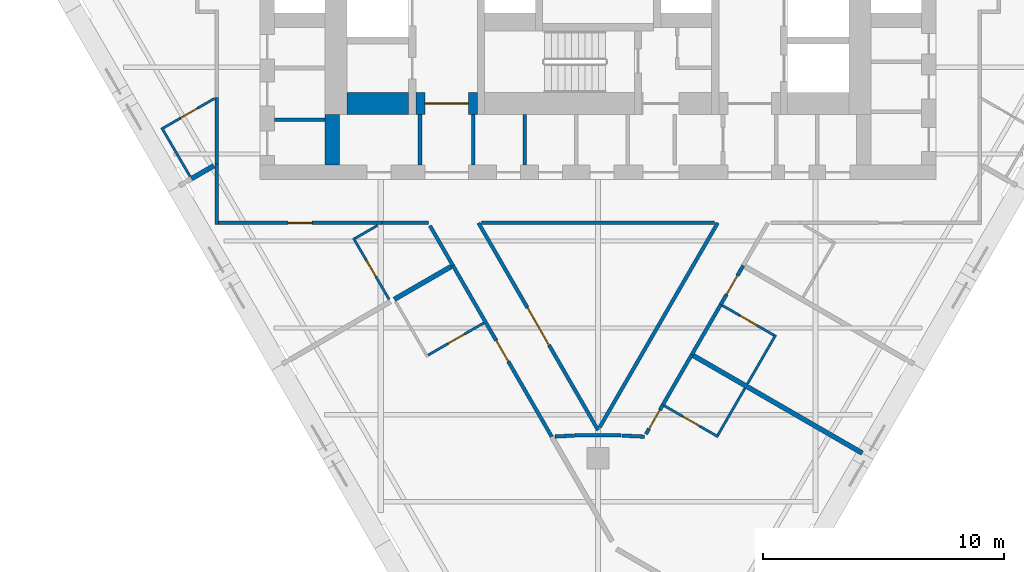
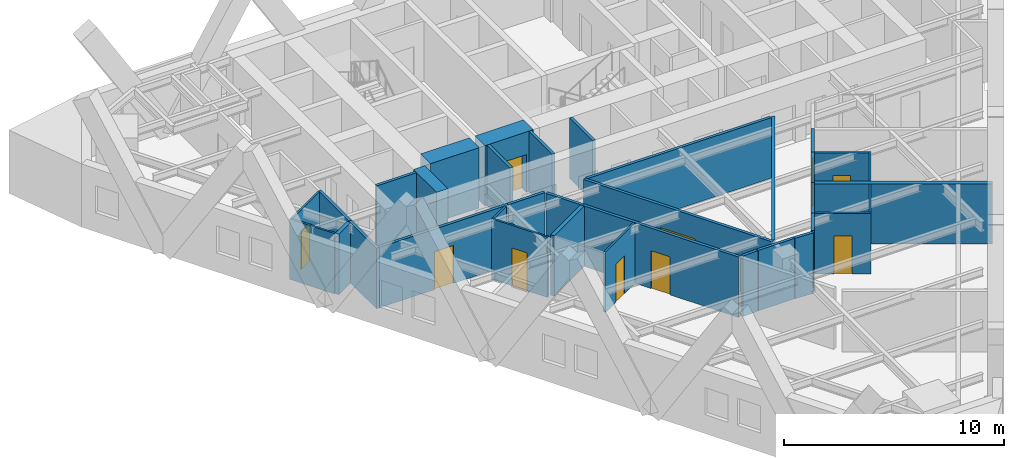
# One storey, part 3 of 8: 35 walls, 11 doors, 11 openings.
"""IFC4 building model written with IfcOpenShell, lengths in metres."""

from ifc_helpers import new_model, si_unit, direction, frame, frame_2d, origin, place, context, subcontext, project, spatial, rectangle, extrude, material, layer, layer_set, type_object, element, fill, save


model = new_model("IFC4")

# Units and contexts
model_context = context("Model", 3, precision=1e-05, world=origin(), true_north=direction((0.0, 1.0)))
body_context = subcontext(model_context, "Body", "Model", "MODEL_VIEW")
ifc_project = project(units=[si_unit("LENGTHUNIT", "METRE"), si_unit("AREAUNIT", "SQUARE_METRE"), si_unit("VOLUMEUNIT", "CUBIC_METRE"), si_unit("PLANEANGLEUNIT", "RADIAN"), si_unit("MASSUNIT", "GRAM", prefix="KILO")], contexts=[model_context])

# Site, building, storey
site_placement = place(None, origin())
site = spatial("IfcSite", under=ifc_project, at=site_placement, CompositionType="ELEMENT")
building_placement = place(site_placement, origin())
building = spatial("IfcBuilding", under=site, at=building_placement, Name="Aloe Facet Convention Tower", CompositionType="ELEMENT")
storey_placement = place(building_placement, frame((0.0, 0.0, 88.800048828125)))
storey = spatial("IfcBuildingStorey", under=building, at=storey_placement, Name="L21", CompositionType="ELEMENT", Elevation=88.800048828125)

# Walls
ifc_material_1 = material(Name="Concrete blockwork partition", Category="masonry")
ifc_layer_1 = layer(ifc_material_1, 0.14990234375)
ifc_layer_set_1 = layer_set([ifc_layer_1], Name="CR-W-PART150")
wall_type_1 = type_object("IfcWallType", Name="CR-W-PART150", PredefinedType="PARTITIONING", material=ifc_layer_set_1)
wall_1_placement = place(storey_placement, frame((66.60009765625, 122.02490234375, 0.0), z_axis=(0.0, 0.0, 1.0), x_axis=(1.0, 0.0, 0.0)))
element("IfcWall", 1, at=wall_1_placement, inside=storey, type_object=wall_type_1, Name="Core partition L21-008", PredefinedType="PARTITIONING", context=body_context, shape_type="SweptSolid", body=[
    extrude(rectangle(XDim=2.099853515625, YDim=0.14990234375, at=frame_2d((1.0498046875, 0.0))), origin(), (0.0, 0.0, 1.0), 3.349853515625),
])
for number, where, z_axis, x_axis, name in (
    (2, (72.625, 122.25, 0.0), (0.0, 0.0, 1.0), (0.0, -1.0, 0.0), "Core partition L21-017"),
    (3, (74.824951171875, 122.25, 0.0), (0.0, 0.0, 1.0), (0.0, -1.0, 0.0), "Core partition L21-018"),
    (4, (76.958251953125, 122.25, 0.0), (0.0, 0.0, 1.0), (0.0, -1.0, 0.0), "Core partition L21-024"),
):
    element("IfcWall", number, at=place(storey_placement, frame(where, z_axis=z_axis, x_axis=x_axis)), inside=storey, type_object=wall_type_1, Name=name, PredefinedType="PARTITIONING", context=body_context, shape_type="SweptSolid", body=[
        extrude(rectangle(XDim=2.10009765625, YDim=0.14990234375, at=frame_2d((1.050048828125, 0.0))), origin(), (0.0, 0.0, 1.0), 3.349853515625),
    ])
ifc_material_2 = material(Name="Concrete C70/85", Category="concrete")
ifc_layer_2 = layer(ifc_material_2, 0.60009765625)
ifc_layer_set_2 = layer_set([ifc_layer_2], Name="CR-W-RC600-C7085")
wall_type_2 = type_object("IfcWallType", Name="CR-W-RC600-C7085", PredefinedType="SOLIDWALL", material=ifc_layer_set_2)
wall_2_placement = place(storey_placement, frame((69.0, 122.25, 0.0), z_axis=(0.0, 0.0, 1.0), x_axis=(0.0, -1.0, 0.0)))
element("IfcWall", 5, at=wall_2_placement, inside=storey, type_object=wall_type_2, Name="Core wall L21-010", PredefinedType="SOLIDWALL", context=body_context, shape_type="SweptSolid", body=[
    extrude(rectangle(XDim=2.10009765625, YDim=0.60009765625, at=frame_2d((1.050048828125, 0.0))), origin(), (0.0, 0.0, 1.0), 3.349853515625),
])
ifc_material_3 = material(Name="Concrete C70/85", Category="concrete")
ifc_layer_3 = layer(ifc_material_3, 0.89990234375)
ifc_layer_set_3 = layer_set([ifc_layer_3], Name="CR-W-RC900-C7085")
wall_type_3 = type_object("IfcWallType", Name="CR-W-RC900-C7085", PredefinedType="SOLIDWALL", material=ifc_layer_set_3)
wall_3_placement = place(storey_placement, frame((69.60009765625, 122.699951171875, 0.0), z_axis=(0.0, 0.0, 1.0), x_axis=(1.0, 0.0, 0.0)))
element("IfcWall", 6, at=wall_3_placement, inside=storey, type_object=wall_type_3, Name="Core wall L21-013", PredefinedType="SOLIDWALL", context=body_context, shape_type="SweptSolid", body=[
    extrude(rectangle(XDim=2.5498046875, YDim=0.89990234375, at=frame_2d((1.27490234375, 0.0))), origin(), (0.0, 0.0, 1.0), 3.349853515625),
])

# Wall, opening, door
wall_4_placement = place(storey_placement, frame((72.449951171875, 122.699951171875, 0.0), z_axis=(0.0, 0.0, 1.0), x_axis=(1.0, 0.0, 0.0)))
wall_4 = element("IfcWall", 7, at=wall_4_placement, inside=storey, type_object=wall_type_3, Name="Core wall L21-016", PredefinedType="SOLIDWALL", context=body_context, shape_type="SweptSolid", body=[
    extrude(rectangle(XDim=2.550048828125, YDim=0.89990234375, at=frame_2d((1.27490234375, 0.0))), origin(), (0.0, 0.0, 1.0), 3.349853515625),
])
opening_1_placement = place(wall_4_placement, frame((0.375, 0.0, 0.0)))
opening_1 = element("IfcOpeningElement", 8, at=opening_1_placement, cuts=wall_4, Name="Opening L21-CD15", PredefinedType="OPENING", context=body_context, shape_type="SweptSolid", body=[
    extrude(rectangle(XDim=1.800048828125, YDim=2.10009765625, at=frame_2d((0.89990234375, 1.050048828125))), frame((0.0, 0.4599609375, 0.0), z_axis=(0.0, -1.0, 0.0), x_axis=(1.0, 0.0, 0.0)), (0.0, 0.0, 1.0), 0.919921875),
])
ifc_material_4 = material(Name="Steel fire-resisting door set FD120", Category="steel")
door_type_1 = type_object("IfcDoorType", Name="CR-D-EXIT-1800-FD120-DD", OperationType="DOUBLE_DOOR_DOUBLE_SWING", PredefinedType="DOOR", material=ifc_material_4)
door_1_placement = place(opening_1_placement, origin())
door_1 = element("IfcDoor", 9, at=door_1_placement, inside=storey, type_object=door_type_1, Name="Core door L21-CD15", OperationType="DOUBLE_DOOR_DOUBLE_SWING", OverallHeight=2.10009765625, OverallWidth=1.800048828125, PredefinedType="DOOR", context=body_context, shape_type="SweptSolid", body=[
    extrude(rectangle(XDim=1.800048828125, YDim=2.10009765625, at=frame_2d((0.89990234375, 1.050048828125))), frame((0.0, 0.02490234375, 0.0), z_axis=(0.0, -1.0, 0.0), x_axis=(1.0, 0.0, 0.0)), (0.0, 0.0, 1.0), 0.050048828125),
])
fill(opening_1, door_1)

ifc_material_5 = material(Name="Gypsum board partition on steel studs", Category="steel")
ifc_layer_4 = layer(ifc_material_5, 0.14990234375)
ifc_layer_set_4 = layer_set([ifc_layer_4], Name="IN-W-CORR")
wall_type_4 = type_object("IfcWallType", Name="IN-W-CORR", PredefinedType="PARTITIONING", material=ifc_layer_set_4)
wall_5_placement = place(storey_placement, frame((73.987060546875, 115.9853515625, 0.0), z_axis=(0.0, 0.0, 1.0), x_axis=(0.499995293736, -0.86602812093, 0.0)))
wall_5 = element("IfcWall", 10, at=wall_5_placement, inside=storey, type_object=wall_type_4, Name="Partition L21-W004", PredefinedType="PARTITIONING", context=body_context, shape_type="SweptSolid", body=[
    extrude(rectangle(XDim=8.1845703125, YDim=0.14990234375, at=frame_2d((4.09228515625, 0.0))), origin(), (0.0, 0.0, 1.0), 3.349853515625),
])
opening_2_placement = place(wall_5_placement, frame((3.59228515625, 0.0, 0.0)))
opening_2 = element("IfcOpeningElement", 11, at=opening_2_placement, cuts=wall_5, Name="Opening L21-003", PredefinedType="OPENING", context=body_context, shape_type="SweptSolid", body=[
    extrude(rectangle(XDim=1.0, YDim=2.10009765625, at=frame_2d((0.5, 1.050048828125))), frame((0.0, 0.0849609375, 0.0), z_axis=(0.0, -1.0, 0.0), x_axis=(1.0, 0.0, 0.0)), (0.0, 0.0, 1.0), 0.169921875),
])
ifc_material_6 = material(Name="Hardwood flush door FD30S", Category="wood")
door_type_2 = type_object("IfcDoorType", Name="IN-D-WIDE", OperationType="SINGLE_SWING_LEFT", PredefinedType="DOOR", material=ifc_material_6)
door_2_placement = place(opening_2_placement, origin())
door_2 = element("IfcDoor", 12, at=door_2_placement, inside=storey, type_object=door_type_2, Name="Door L21-003", OperationType="SINGLE_SWING_LEFT", OverallHeight=2.10009765625, OverallWidth=1.0, PredefinedType="DOOR", context=body_context, shape_type="SweptSolid", body=[
    extrude(rectangle(XDim=1.0, YDim=2.10009765625, at=frame_2d((0.5, 1.050048828125))), frame((0.0, 0.02490234375, 0.0), z_axis=(0.0, -1.0, 0.0), x_axis=(1.0, 0.0, 0.0)), (0.0, 0.0, 1.0), 0.050048828125),
])
fill(opening_2, door_2)

# Walls
wall_6_placement = place(storey_placement, frame((80.9833984375, 108.943359375, 0.0), z_axis=(0.0, 0.0, 1.0), x_axis=(0.998790324739, -0.049172016508, 0.0)))
element("IfcWall", 13, at=wall_6_placement, inside=storey, type_object=wall_type_4, Name="Partition L21-W005", PredefinedType="PARTITIONING", context=body_context, shape_type="SweptSolid", body=[
    extrude(rectangle(XDim=0.9384765625, YDim=0.14990234375, at=frame_2d((0.46923828125, 0.0))), origin(), (0.0, 0.0, 1.0), 3.349853515625),
])
wall_7_placement = place(storey_placement, frame((78.21923828125, 108.904052734375, 0.0), z_axis=(0.0, 0.0, 1.0), x_axis=(0.998787173297, 0.049235987416, 0.0)))
element("IfcWall", 14, at=wall_7_placement, inside=storey, type_object=wall_type_4, Name="Partition L21-W007", PredefinedType="PARTITIONING", context=body_context, shape_type="SweptSolid", body=[
    extrude(rectangle(XDim=0.79833984375, YDim=0.14990234375, at=frame_2d((0.399169921875, 0.0))), origin(), (0.0, 0.0, 1.0), 3.349853515625),
])
wall_8_placement = place(storey_placement, frame((79.050048828125, 108.949951171875, 0.0), z_axis=(0.0, 0.0, 1.0), x_axis=(1.0, 0.0, 0.0)))
element("IfcWall", 15, at=wall_8_placement, inside=storey, type_object=wall_type_4, Name="Partition L21-W008", PredefinedType="PARTITIONING", context=body_context, shape_type="SweptSolid", body=[
    extrude(rectangle(XDim=1.89990234375, YDim=0.14990234375, at=frame_2d((0.949951171875, 0.0))), origin(), (0.0, 0.0, 1.0), 3.349853515625),
])
wall_9_placement = place(storey_placement, frame((82.680908203125, 110.2138671875, 0.0), z_axis=(0.0, 0.0, 1.0), x_axis=(0.500001309137, 0.866024647952, 0.0)))
element("IfcWall", 16, at=wall_9_placement, inside=storey, type_object=wall_type_4, Name="Partition L21-W009", PredefinedType="PARTITIONING", context=body_context, shape_type="SweptSolid", body=[
    extrude(rectangle(XDim=2.39990234375, YDim=0.14990234375, at=frame_2d((1.199951171875, 0.0))), origin(), (0.0, 0.0, 1.0), 3.349853515625),
])

# Wall, opening, door
wall_10_placement = place(storey_placement, frame((81.982177734375, 109.003662109375, 0.0), z_axis=(0.0, 0.0, 1.0), x_axis=(0.500009789943, 0.866019751484, 0.0)))
wall_10 = element("IfcWall", 17, at=wall_10_placement, inside=storey, type_object=wall_type_4, Name="Partition L21-W010", PredefinedType="PARTITIONING", context=body_context, shape_type="SweptSolid", body=[
    extrude(rectangle(XDim=1.3974609375, YDim=0.14990234375, at=frame_2d((0.69873046875, 0.0))), origin(), (0.0, 0.0, 1.0), 3.349853515625),
])
opening_3_placement = place(wall_10_placement, frame((0.248779296875, 0.0, 0.0)))
opening_3 = element("IfcOpeningElement", 18, at=opening_3_placement, cuts=wall_10, Name="Opening L21-004", PredefinedType="OPENING", context=body_context, shape_type="SweptSolid", body=[
    extrude(rectangle(XDim=0.89990234375, YDim=2.10009765625, at=frame_2d((0.449951171875, 1.050048828125))), frame((0.0, 0.0849609375, 0.0), z_axis=(0.0, -1.0, 0.0), x_axis=(1.0, 0.0, 0.0)), (0.0, 0.0, 1.0), 0.169921875),
])
ifc_material_7 = material(Name="Hardwood flush door FD30S", Category="wood")
door_type_3 = type_object("IfcDoorType", Name="IN-D-GUEST", OperationType="SINGLE_SWING_LEFT", PredefinedType="DOOR", material=ifc_material_7)
door_3_placement = place(opening_3_placement, origin())
door_3 = element("IfcDoor", 19, at=door_3_placement, inside=storey, type_object=door_type_3, Name="Door L21-004", OperationType="SINGLE_SWING_LEFT", OverallHeight=2.10009765625, OverallWidth=0.89990234375, PredefinedType="DOOR", context=body_context, shape_type="SweptSolid", body=[
    extrude(rectangle(XDim=0.89990234375, YDim=2.10009765625, at=frame_2d((0.449951171875, 1.050048828125))), frame((0.0, 0.02490234375, 0.0), z_axis=(0.0, -1.0, 0.0), x_axis=(1.0, 0.0, 0.0)), (0.0, 0.0, 1.0), 0.050048828125),
])
fill(opening_3, door_3)

# Wall
wall_11_placement = place(storey_placement, frame((83.880859375, 112.292236328125, 0.0), z_axis=(0.0, 0.0, 1.0), x_axis=(0.500001309137, 0.866024647952, 0.0)))
element("IfcWall", 20, at=wall_11_placement, inside=storey, type_object=wall_type_4, Name="Partition L21-W021", PredefinedType="PARTITIONING", context=body_context, shape_type="SweptSolid", body=[
    extrude(rectangle(XDim=2.39990234375, YDim=0.14990234375, at=frame_2d((1.199951171875, 0.0))), origin(), (0.0, 0.0, 1.0), 3.349853515625),
])

# Wall, opening, door
wall_12_placement = place(storey_placement, frame((85.080810546875, 114.37060546875, 0.0), z_axis=(0.0, 0.0, 1.0), x_axis=(0.499941596792, 0.866059120267, 0.0)))
wall_12 = element("IfcWall", 21, at=wall_12_placement, inside=storey, type_object=wall_type_4, Name="Partition L21-W032", PredefinedType="PARTITIONING", context=body_context, shape_type="SweptSolid", body=[
    extrude(rectangle(XDim=1.864501953125, YDim=0.14990234375, at=frame_2d((0.93212890625, 0.0))), origin(), (0.0, 0.0, 1.0), 3.349853515625),
])
opening_4_placement = place(wall_12_placement, frame((0.482177734375, 0.0, 0.0)))
opening_4 = element("IfcOpeningElement", 22, at=opening_4_placement, cuts=wall_12, Name="Opening L21-005", PredefinedType="OPENING", context=body_context, shape_type="SweptSolid", body=[
    extrude(rectangle(XDim=0.89990234375, YDim=2.10009765625, at=frame_2d((0.449951171875, 1.050048828125))), frame((0.0, 0.0849609375, 0.0), z_axis=(0.0, -1.0, 0.0), x_axis=(1.0, 0.0, 0.0)), (0.0, 0.0, 1.0), 0.169921875),
])
door_4_placement = place(opening_4_placement, origin())
door_4 = element("IfcDoor", 23, at=door_4_placement, inside=storey, type_object=door_type_3, Name="Door L21-005", OperationType="SINGLE_SWING_LEFT", OverallHeight=2.10009765625, OverallWidth=0.89990234375, PredefinedType="DOOR", context=body_context, shape_type="SweptSolid", body=[
    extrude(rectangle(XDim=0.89990234375, YDim=2.10009765625, at=frame_2d((0.449951171875, 1.050048828125))), frame((0.0, 0.02490234375, 0.0), z_axis=(0.0, -1.0, 0.0), x_axis=(1.0, 0.0, 0.0)), (0.0, 0.0, 1.0), 0.050048828125),
])
fill(opening_4, door_4)

# Walls
wall_13_placement = place(storey_placement, frame((64.199951171875, 117.675048828125, 0.0), z_axis=(0.0, 0.0, 1.0), x_axis=(0.0, 1.0, 0.0)))
element("IfcWall", 24, at=wall_13_placement, inside=storey, type_object=wall_type_4, Name="Partition L21-W037", PredefinedType="PARTITIONING", context=body_context, shape_type="SweptSolid", body=[
    extrude(rectangle(XDim=2.507568359375, YDim=0.14990234375, at=frame_2d((1.25390625, 0.0))), origin(), (0.0, 0.0, 1.0), 3.349853515625),
])
wall_14_placement = place(storey_placement, frame((71.043701171875, 117.75, 0.0), z_axis=(0.0, 0.0, 1.0), x_axis=(1.0, 0.0, 0.0)))
element("IfcWall", 25, at=wall_14_placement, inside=storey, type_object=wall_type_4, Name="Partition L21-W038", PredefinedType="PARTITIONING", context=body_context, shape_type="SweptSolid", body=[
    extrude(rectangle(XDim=1.924560546875, YDim=0.14990234375, at=frame_2d((0.96240234375, 0.0))), origin(), (0.0, 0.0, 1.0), 3.349853515625),
])

# Wall, opening, door
wall_15_placement = place(storey_placement, frame((64.27490234375, 117.75, 0.0), z_axis=(0.0, 0.0, 1.0), x_axis=(1.0, 0.0, 0.0)))
wall_15 = element("IfcWall", 26, at=wall_15_placement, inside=storey, type_object=wall_type_4, Name="Partition L21-W039", PredefinedType="PARTITIONING", context=body_context, shape_type="SweptSolid", body=[
    extrude(rectangle(XDim=6.768798828125, YDim=0.14990234375, at=frame_2d((3.38427734375, 0.0))), origin(), (0.0, 0.0, 1.0), 3.349853515625),
])
opening_5_placement = place(wall_15_placement, frame((2.88427734375, 0.0, 0.0)))
opening_5 = element("IfcOpeningElement", 27, at=opening_5_placement, cuts=wall_15, Name="Opening L21-002", PredefinedType="OPENING", context=body_context, shape_type="SweptSolid", body=[
    extrude(rectangle(XDim=1.0, YDim=2.10009765625, at=frame_2d((0.5, 1.050048828125))), frame((0.0, 0.0849609375, 0.0), z_axis=(0.0, -1.0, 0.0), x_axis=(1.0, 0.0, 0.0)), (0.0, 0.0, 1.0), 0.169921875),
])
door_5_placement = place(opening_5_placement, origin())
door_5 = element("IfcDoor", 28, at=door_5_placement, inside=storey, type_object=door_type_2, Name="Door L21-002", OperationType="SINGLE_SWING_LEFT", OverallHeight=2.10009765625, OverallWidth=1.0, PredefinedType="DOOR", context=body_context, shape_type="SweptSolid", body=[
    extrude(rectangle(XDim=1.0, YDim=2.10009765625, at=frame_2d((0.5, 1.050048828125))), frame((0.0, 0.02490234375, 0.0), z_axis=(0.0, -1.0, 0.0), x_axis=(1.0, 0.0, 0.0)), (0.0, 0.0, 1.0), 0.050048828125),
])
fill(opening_5, door_5)

# Wall
wall_16_placement = place(storey_placement, frame((73.033203125, 117.637451171875, 0.0), z_axis=(0.0, 0.0, 1.0), x_axis=(0.500006788699, -0.866021484292, 0.0)))
element("IfcWall", 29, at=wall_16_placement, inside=storey, type_object=wall_type_4, Name="Partition L21-W040", PredefinedType="PARTITIONING", context=body_context, shape_type="SweptSolid", body=[
    extrude(rectangle(XDim=1.90771484375, YDim=0.14990234375, at=frame_2d((0.953857421875, 0.0))), origin(), (0.0, 0.0, 1.0), 3.349853515625),
])

# Wall, opening, door
wall_17_placement = place(storey_placement, frame((75.046630859375, 117.75, 0.0), z_axis=(0.0, 0.0, 1.0), x_axis=(0.499995505729, -0.866027998537, 0.0)))
wall_17 = element("IfcWall", 30, at=wall_17_placement, inside=storey, type_object=wall_type_4, Name="Partition L21-W041", PredefinedType="PARTITIONING", context=body_context, shape_type="SweptSolid", body=[
    extrude(rectangle(XDim=9.90673828125, YDim=0.14990234375, at=frame_2d((4.953369140625, 0.0))), origin(), (0.0, 0.0, 1.0), 3.349853515625),
])
opening_6_placement = place(wall_17_placement, frame((4.053466796875, 0.0, 0.0)))
opening_6 = element("IfcOpeningElement", 31, at=opening_6_placement, cuts=wall_17, Name="Opening L21-008", PredefinedType="OPENING", context=body_context, shape_type="SweptSolid", body=[
    extrude(rectangle(XDim=1.800048828125, YDim=2.10009765625, at=frame_2d((0.89990234375, 1.050048828125))), frame((0.0, 0.0849609375, 0.0), z_axis=(0.0, -1.0, 0.0), x_axis=(1.0, 0.0, 0.0)), (0.0, 0.0, 1.0), 0.169921875),
])
ifc_material_8 = material(Name="Timber flush door pair", Category="wood")
door_type_4 = type_object("IfcDoorType", Name="IN-D-PAIR-U", OperationType="DOUBLE_DOOR_SINGLE_SWING", PredefinedType="DOOR", material=ifc_material_8)
door_6_placement = place(opening_6_placement, origin())
door_6 = element("IfcDoor", 32, at=door_6_placement, inside=storey, type_object=door_type_4, Name="Door L21-008", OperationType="SINGLE_SWING_LEFT", OverallHeight=2.10009765625, OverallWidth=1.800048828125, PredefinedType="DOOR", context=body_context, shape_type="SweptSolid", body=[
    extrude(rectangle(XDim=1.800048828125, YDim=2.10009765625, at=frame_2d((0.89990234375, 1.050048828125))), frame((0.0, 0.02490234375, 0.0), z_axis=(0.0, -1.0, 0.0), x_axis=(1.0, 0.0, 0.0)), (0.0, 0.0, 1.0), 0.050048828125),
])
fill(opening_6, door_6)

# Walls
wall_18_placement = place(storey_placement, frame((80.06494140625, 109.282958984375, 0.0), z_axis=(0.0, 0.0, 1.0), x_axis=(0.49999841397, 0.866026319477, 0.0)))
element("IfcWall", 33, at=wall_18_placement, inside=storey, type_object=wall_type_4, Name="Partition L21-W042", PredefinedType="PARTITIONING", context=body_context, shape_type="SweptSolid", body=[
    extrude(rectangle(XDim=9.77685546875, YDim=0.14990234375, at=frame_2d((4.888427734375, 0.0))), origin(), (0.0, 0.0, 1.0), 3.349853515625),
])
wall_19_placement = place(storey_placement, frame((75.176513671875, 117.75, 0.0), z_axis=(0.0, 0.0, 1.0), x_axis=(1.0, 0.0, 0.0)))
element("IfcWall", 34, at=wall_19_placement, inside=storey, type_object=wall_type_4, Name="Partition L21-W043", PredefinedType="PARTITIONING", context=body_context, shape_type="SweptSolid", body=[
    extrude(rectangle(XDim=9.64697265625, YDim=0.14990234375, at=frame_2d((4.823486328125, 0.0))), origin(), (0.0, 0.0, 1.0), 3.349853515625),
])
wall_20_placement = place(storey_placement, frame((64.199951171875, 122.9541015625, 0.0), z_axis=(0.0, 0.0, 1.0), x_axis=(0.0, -1.0, 0.0)))
element("IfcWall", 35, at=wall_20_placement, inside=storey, type_object=wall_type_4, Name="Partition L21-W059", PredefinedType="PARTITIONING", context=body_context, shape_type="SweptSolid", body=[
    extrude(rectangle(XDim=2.771484375, YDim=0.14990234375, at=frame_2d((1.3857421875, 0.0))), origin(), (0.0, 0.0, 1.0), 3.349853515625),
])

# Wall, opening, door
ifc_material_9 = material(Name="Gypsum board partition on steel studs", Category="steel")
ifc_layer_5 = layer(ifc_material_9, 0.10009765625)
ifc_layer_set_5 = layer_set([ifc_layer_5], Name="IN-W-PART")
wall_type_5 = type_object("IfcWallType", Name="IN-W-PART", PredefinedType="PARTITIONING", material=ifc_layer_set_5)
wall_21_placement = place(storey_placement, frame((82.75439453125, 110.17138671875, 0.0), z_axis=(0.0, 0.0, 1.0), x_axis=(0.866038183914, -0.499977863513, 0.0)))
wall_21 = element("IfcWall", 36, at=wall_21_placement, inside=storey, type_object=wall_type_5, Name="Partition L21-W006", PredefinedType="PARTITIONING", context=body_context, shape_type="SweptSolid", body=[
    extrude(rectangle(XDim=2.56494140625, YDim=0.10009765625, at=frame_2d((1.282470703125, 0.0))), origin(), (0.0, 0.0, 1.0), 3.349853515625),
])
opening_7_placement = place(wall_21_placement, frame((0.882568359375, 0.0, 0.0)))
opening_7 = element("IfcOpeningElement", 37, at=opening_7_placement, cuts=wall_21, Name="Opening L21-012", PredefinedType="OPENING", context=body_context, shape_type="SweptSolid", body=[
    extrude(rectangle(XDim=0.800048828125, YDim=2.10009765625, at=frame_2d((0.39990234375, 1.050048828125))), frame((0.0, 0.06005859375, 0.0), z_axis=(0.0, -1.0, 0.0), x_axis=(1.0, 0.0, 0.0)), (0.0, 0.0, 1.0), 0.1201171875),
])
ifc_material_10 = material(Name="Timber flush door", Category="wood")
door_type_5 = type_object("IfcDoorType", Name="IN-D-BATH", OperationType="SINGLE_SWING_LEFT", PredefinedType="DOOR", material=ifc_material_10)
door_7_placement = place(opening_7_placement, origin())
door_7 = element("IfcDoor", 38, at=door_7_placement, inside=storey, type_object=door_type_5, Name="Door L21-012", OperationType="SINGLE_SWING_LEFT", OverallHeight=2.10009765625, OverallWidth=0.800048828125, PredefinedType="DOOR", context=body_context, shape_type="SweptSolid", body=[
    extrude(rectangle(XDim=0.800048828125, YDim=2.10009765625, at=frame_2d((0.39990234375, 1.050048828125))), frame((0.0, 0.02490234375, 0.0), z_axis=(0.0, -1.0, 0.0), x_axis=(1.0, 0.0, 0.0)), (0.0, 0.0, 1.0), 0.050048828125),
])
fill(opening_7, door_7)

# Walls
wall_22_placement = place(storey_placement, frame((84.95751953125, 108.95703125, 0.0), z_axis=(0.0, 0.0, 1.0), x_axis=(0.499966648284, 0.866044658551, 0.0)))
element("IfcWall", 39, at=wall_22_placement, inside=storey, type_object=wall_type_5, Name="Partition L21-W011", PredefinedType="PARTITIONING", context=body_context, shape_type="SweptSolid", body=[
    extrude(rectangle(XDim=2.250244140625, YDim=0.10009765625, at=frame_2d((1.125, 0.0))), origin(), (0.0, 0.0, 1.0), 3.349853515625),
])
wall_23_placement = place(storey_placement, frame((86.1875, 111.087646484375, 0.0), z_axis=(0.0, 0.0, 1.0), x_axis=(0.499999433879, 0.866025730634, 0.0)))
element("IfcWall", 40, at=wall_23_placement, inside=storey, type_object=wall_type_5, Name="Partition L21-W022", PredefinedType="PARTITIONING", context=body_context, shape_type="SweptSolid", body=[
    extrude(rectangle(XDim=2.33984375, YDim=0.10009765625, at=frame_2d((1.169921875, 0.0))), origin(), (0.0, 0.0, 1.0), 3.349853515625),
])

# Wall, opening, door
wall_24_placement = place(storey_placement, frame((72.964111328125, 112.277099609375, 0.0), z_axis=(0.0, 0.0, 1.0), x_axis=(0.866075755805, 0.4999127776, 0.0)))
wall_24 = element("IfcWall", 41, at=wall_24_placement, inside=storey, type_object=wall_type_5, Name="Partition L21-W023", PredefinedType="PARTITIONING", context=body_context, shape_type="SweptSolid", body=[
    extrude(rectangle(XDim=2.6650390625, YDim=0.10009765625, at=frame_2d((1.33251953125, 0.0))), origin(), (0.0, 0.0, 1.0), 3.349853515625),
])
opening_8_placement = place(wall_24_placement, frame((0.9326171875, 0.0, 0.0)))
opening_8 = element("IfcOpeningElement", 42, at=opening_8_placement, cuts=wall_24, Name="Opening L21-011", PredefinedType="OPENING", context=body_context, shape_type="SweptSolid", body=[
    extrude(rectangle(XDim=0.800048828125, YDim=2.10009765625, at=frame_2d((0.39990234375, 1.050048828125))), frame((0.0, 0.06005859375, 0.0), z_axis=(0.0, -1.0, 0.0), x_axis=(1.0, 0.0, 0.0)), (0.0, 0.0, 1.0), 0.1201171875),
])
door_8_placement = place(opening_8_placement, origin())
door_8 = element("IfcDoor", 43, at=door_8_placement, inside=storey, type_object=door_type_5, Name="Door L21-011", OperationType="SINGLE_SWING_LEFT", OverallHeight=2.10009765625, OverallWidth=0.800048828125, PredefinedType="DOOR", context=body_context, shape_type="SweptSolid", body=[
    extrude(rectangle(XDim=0.800048828125, YDim=2.10009765625, at=frame_2d((0.39990234375, 1.050048828125))), frame((0.0, 0.02490234375, 0.0), z_axis=(0.0, -1.0, 0.0), x_axis=(1.0, 0.0, 0.0)), (0.0, 0.0, 1.0), 0.050048828125),
])
fill(opening_8, door_8)

wall_25_placement = place(storey_placement, frame((85.154296875, 114.328125, 0.0), z_axis=(0.0, 0.0, 1.0), x_axis=(0.866040446274, -0.499973944738, 0.0)))
wall_25 = element("IfcWall", 44, at=wall_25_placement, inside=storey, type_object=wall_type_5, Name="Partition L21-W024", PredefinedType="PARTITIONING", context=body_context, shape_type="SweptSolid", body=[
    extrude(rectangle(XDim=2.465087890625, YDim=0.10009765625, at=frame_2d((1.232421875, 0.0))), origin(), (0.0, 0.0, 1.0), 3.349853515625),
])
opening_9_placement = place(wall_25_placement, frame((0.83251953125, 0.0, 0.0)))
opening_9 = element("IfcOpeningElement", 45, at=opening_9_placement, cuts=wall_25, Name="Opening L21-013", PredefinedType="OPENING", context=body_context, shape_type="SweptSolid", body=[
    extrude(rectangle(XDim=0.800048828125, YDim=2.10009765625, at=frame_2d((0.39990234375, 1.050048828125))), frame((0.0, 0.06005859375, 0.0), z_axis=(0.0, -1.0, 0.0), x_axis=(1.0, 0.0, 0.0)), (0.0, 0.0, 1.0), 0.1201171875),
])
door_9_placement = place(opening_9_placement, origin())
door_9 = element("IfcDoor", 46, at=door_9_placement, inside=storey, type_object=door_type_5, Name="Door L21-013", OperationType="SINGLE_SWING_LEFT", OverallHeight=2.10009765625, OverallWidth=0.800048828125, PredefinedType="DOOR", context=body_context, shape_type="SweptSolid", body=[
    extrude(rectangle(XDim=0.800048828125, YDim=2.10009765625, at=frame_2d((0.39990234375, 1.050048828125))), frame((0.0, 0.02490234375, 0.0), z_axis=(0.0, -1.0, 0.0), x_axis=(1.0, 0.0, 0.0)), (0.0, 0.0, 1.0), 0.050048828125),
])
fill(opening_9, door_9)

wall_26_placement = place(storey_placement, frame((69.86376953125, 117.12646484375, 0.0), z_axis=(0.0, 0.0, 1.0), x_axis=(0.502920651267, -0.864332585599, 0.0)))
wall_26 = element("IfcWall", 47, at=wall_26_placement, inside=storey, type_object=wall_type_5, Name="Partition L21-W025", PredefinedType="PARTITIONING", context=body_context, shape_type="SweptSolid", body=[
    extrude(rectangle(XDim=2.93994140625, YDim=0.10009765625, at=frame_2d((1.469970703125, 0.0))), origin(), (0.0, 0.0, 1.0), 3.349853515625),
])
opening_10_placement = place(wall_26_placement, frame((1.070068359375, 0.0, 0.0)))
opening_10 = element("IfcOpeningElement", 48, at=opening_10_placement, cuts=wall_26, Name="Opening L21-010", PredefinedType="OPENING", context=body_context, shape_type="SweptSolid", body=[
    extrude(rectangle(XDim=0.800048828125, YDim=2.10009765625, at=frame_2d((0.39990234375, 1.050048828125))), frame((0.0, 0.06005859375, 0.0), z_axis=(0.0, -1.0, 0.0), x_axis=(1.0, 0.0, 0.0)), (0.0, 0.0, 1.0), 0.1201171875),
])
door_10_placement = place(opening_10_placement, origin())
door_10 = element("IfcDoor", 49, at=door_10_placement, inside=storey, type_object=door_type_5, Name="Door L21-010", OperationType="SINGLE_SWING_LEFT", OverallHeight=2.10009765625, OverallWidth=0.800048828125, PredefinedType="DOOR", context=body_context, shape_type="SweptSolid", body=[
    extrude(rectangle(XDim=0.800048828125, YDim=2.10009765625, at=frame_2d((0.39990234375, 1.050048828125))), frame((0.0, 0.02490234375, 0.0), z_axis=(0.0, -1.0, 0.0), x_axis=(1.0, 0.0, 0.0)), (0.0, 0.0, 1.0), 0.050048828125),
])
fill(opening_10, door_10)

# Walls
wall_27_placement = place(storey_placement, frame((69.94091796875, 117.11328125, 0.0), z_axis=(0.0, 0.0, 1.0), x_axis=(0.866040989419, 0.499973003918, 0.0)))
element("IfcWall", 50, at=wall_27_placement, inside=storey, type_object=wall_type_5, Name="Partition L21-W036", PredefinedType="PARTITIONING", context=body_context, shape_type="SweptSolid", body=[
    extrude(rectangle(XDim=1.068359375, YDim=0.10009765625, at=frame_2d((0.5341796875, 0.0))), origin(), (0.0, 0.0, 1.0), 3.349853515625),
])
wall_28_placement = place(storey_placement, frame((61.923095703125, 121.697265625, 0.0), z_axis=(0.0, 0.0, 1.0), x_axis=(0.503592070056, -0.863941564561, 0.0)))
element("IfcWall", 51, at=wall_28_placement, inside=storey, type_object=wall_type_5, Name="Partition L21-W049", PredefinedType="PARTITIONING", context=body_context, shape_type="SweptSolid", body=[
    extrude(rectangle(XDim=2.340087890625, YDim=0.10009765625, at=frame_2d((1.169921875, 0.0))), origin(), (0.0, 0.0, 1.0), 3.349853515625),
])

# Wall, opening, door
wall_29_placement = place(storey_placement, frame((62.000244140625, 121.68408203125, 0.0), z_axis=(0.0, 0.0, 1.0), x_axis=(0.86604092097, 0.499973122483, 0.0)))
wall_29 = element("IfcWall", 52, at=wall_29_placement, inside=storey, type_object=wall_type_5, Name="Partition L21-W056", PredefinedType="PARTITIONING", context=body_context, shape_type="SweptSolid", body=[
    extrude(rectangle(XDim=2.445068359375, YDim=0.10009765625, at=frame_2d((1.22265625, 0.0))), origin(), (0.0, 0.0, 1.0), 3.349853515625),
])
opening_11_placement = place(wall_29_placement, frame((0.822509765625, 0.0, 0.0)))
opening_11 = element("IfcOpeningElement", 53, at=opening_11_placement, cuts=wall_29, Name="Opening L21-009", PredefinedType="OPENING", context=body_context, shape_type="SweptSolid", body=[
    extrude(rectangle(XDim=0.800048828125, YDim=2.10009765625, at=frame_2d((0.39990234375, 1.050048828125))), frame((0.0, 0.06005859375, 0.0), z_axis=(0.0, -1.0, 0.0), x_axis=(1.0, 0.0, 0.0)), (0.0, 0.0, 1.0), 0.1201171875),
])
door_11_placement = place(opening_11_placement, origin())
door_11 = element("IfcDoor", 54, at=door_11_placement, inside=storey, type_object=door_type_5, Name="Door L21-009", OperationType="SINGLE_SWING_LEFT", OverallHeight=2.10009765625, OverallWidth=0.800048828125, PredefinedType="DOOR", context=body_context, shape_type="SweptSolid", body=[
    extrude(rectangle(XDim=0.800048828125, YDim=2.10009765625, at=frame_2d((0.39990234375, 1.050048828125))), frame((0.0, 0.02490234375, 0.0), z_axis=(0.0, -1.0, 0.0), x_axis=(1.0, 0.0, 0.0)), (0.0, 0.0, 1.0), 0.050048828125),
])
fill(opening_11, door_11)

# Walls
ifc_material_11 = material(Name="Gypsum board partition on steel studs", Category="steel")
ifc_layer_6 = layer(ifc_material_11, 0.199951171875)
ifc_layer_set_6 = layer_set([ifc_layer_6], Name="IN-W-PARTY")
wall_type_6 = type_object("IfcWallType", Name="IN-W-PARTY", PredefinedType="PARTITIONING", material=ifc_layer_set_6)
wall_30_placement = place(storey_placement, frame((83.94580078125, 112.254638671875, 0.0), z_axis=(0.0, 0.0, 1.0), x_axis=(0.86603353517, -0.499985915763, 0.0)))
element("IfcWall", 55, at=wall_30_placement, inside=storey, type_object=wall_type_6, Name="Partition L21-W003", PredefinedType="PARTITIONING", context=body_context, shape_type="SweptSolid", body=[
    extrude(rectangle(XDim=8.074951171875, YDim=0.199951171875, at=frame_2d((4.03759765625, 0.0))), origin(), (0.0, 0.0, 1.0), 3.349853515625),
])
wall_31_placement = place(storey_placement, frame((71.562255859375, 114.585205078125, 0.0), z_axis=(0.0, 0.0, 1.0), x_axis=(0.866020851292, 0.500007885066, 0.0)))
element("IfcWall", 56, at=wall_31_placement, inside=storey, type_object=wall_type_6, Name="Partition L21-W026", PredefinedType="PARTITIONING", context=body_context, shape_type="SweptSolid", body=[
    extrude(rectangle(XDim=2.71484375, YDim=0.199951171875, at=frame_2d((1.357421875, 0.0))), origin(), (0.0, 0.0, 1.0), 3.349853515625),
])
wall_32_placement = place(storey_placement, frame((63.156982421875, 119.58056640625, 0.0), z_axis=(0.0, 0.0, 1.0), x_axis=(0.866091428368, 0.499885624626, 0.0)))
element("IfcWall", 57, at=wall_32_placement, inside=storey, type_object=wall_type_6, Name="Partition L21-W052", PredefinedType="PARTITIONING", context=body_context, shape_type="SweptSolid", body=[
    extrude(rectangle(XDim=1.079345703125, YDim=0.199951171875, at=frame_2d((0.53955078125, 0.0))), origin(), (0.0, 0.0, 1.0), 3.349853515625),
])

save(model, "model.ifc")
